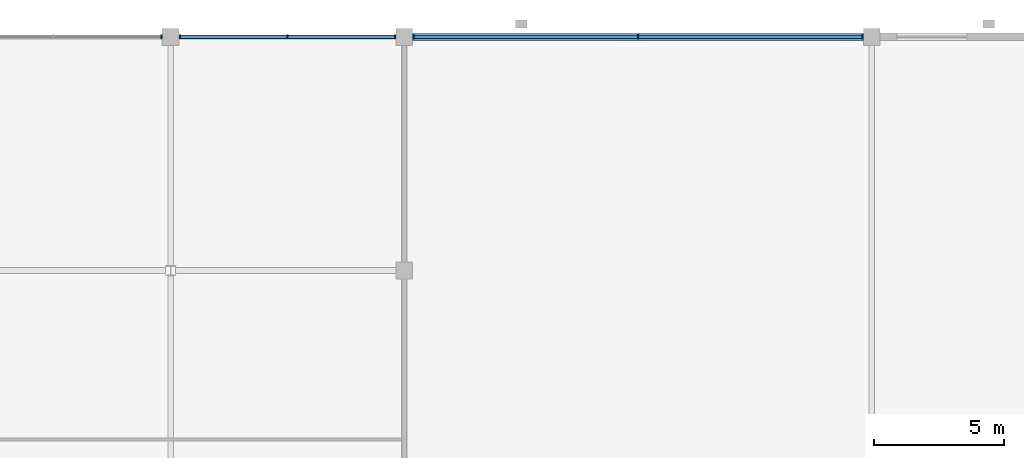
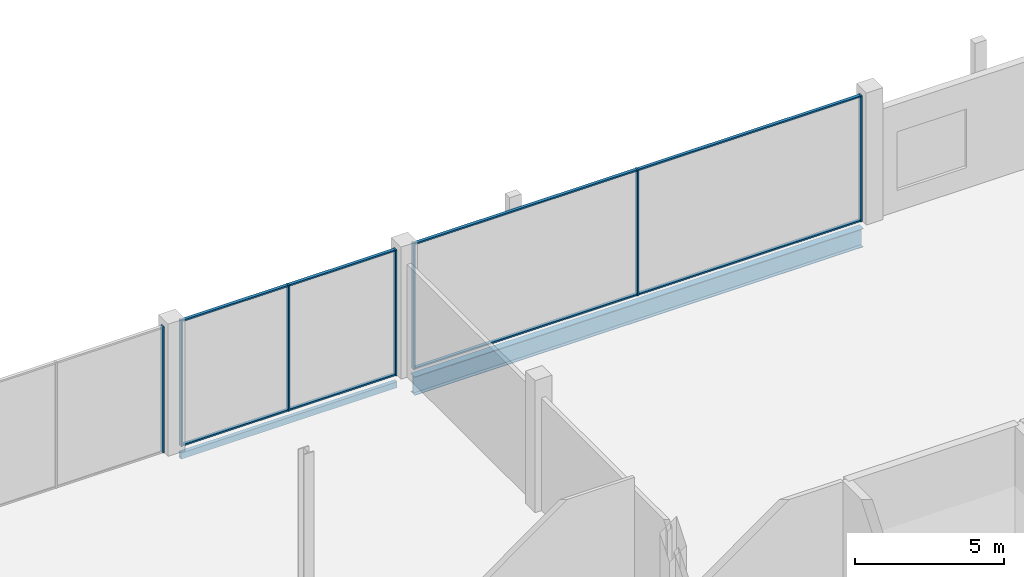
# One storey, part 32 of 111: 15 members, 2 beams, 3 elements without a shape of their own.
"""IFC4 building model written with IfcOpenShell, lengths in metres."""

from ifc_helpers import new_model, si_unit, direction, frame, origin, origin_2d, place, context, subcontext, project, spatial, rectangle, hollow_rectangle, i_section, extrude, material, layer, layer_set, material_profile, profile_set, type_object, element, aggregate, save


model = new_model("IFC4")

# Units and contexts
model_context = context("Model", 3, precision=1e-05, world=origin(), true_north=direction((0.0, 1.0)))
body_context = subcontext(model_context, "Body", "Model", "MODEL_VIEW")
ifc_project = project(units=[si_unit("LENGTHUNIT", "METRE"), si_unit("AREAUNIT", "SQUARE_METRE"), si_unit("VOLUMEUNIT", "CUBIC_METRE"), si_unit("PLANEANGLEUNIT", "RADIAN"), si_unit("MASSUNIT", "GRAM", prefix="KILO")], contexts=[model_context])

# Site, building, storey
site_placement = place(None, origin())
site = spatial("IfcSite", under=ifc_project, at=site_placement, CompositionType="ELEMENT")
building_placement = place(site_placement, origin())
building = spatial("IfcBuilding", under=site, at=building_placement, Name="Kisiwana Market Hall", CompositionType="ELEMENT")
storey_placement = place(building_placement, frame((0.0, 0.0, 11.39990234375)))
storey = spatial("IfcBuildingStorey", under=building, at=storey_placement, Name="L02", CompositionType="ELEMENT", Elevation=11.39990234375)

# Beams
ifc_material_1 = material(Name="Steel S355", Category="steel")
ifc_material_profile_1 = material_profile(ifc_material_1, i_section(OverallWidth=0.2666015625, OverallDepth=0.76220703125, WebThickness=0.014404296875, FlangeThickness=0.021484375, at=origin_2d()), Name="UB 762x267x173")
ifc_profile_set_1 = profile_set([ifc_material_profile_1], Name="Steel S355")
beam_type_1 = type_object("IfcBeamType", Name="BM-GIRD-UB762", PredefinedType="BEAM", material=ifc_profile_set_1)
beam_1_placement = place(storey_placement, frame((45.321044921875, 120.0, -0.631103515625), z_axis=(1.0, 0.0, 0.0), x_axis=(0.0, 1.0, 0.0)))
element("IfcBeam", 1, at=beam_1_placement, inside=storey, type_object=beam_type_1, Name="Floor beam B-0815", PredefinedType="BEAM", context=body_context, shape_type="SweptSolid", body=[
    extrude(i_section(OverallWidth=0.2666015625, OverallDepth=0.76220703125, WebThickness=0.014404296875, FlangeThickness=0.021484375, at=origin_2d()), origin(), (0.0, 0.0, 1.0), 17.35791015625),
])
ifc_material_2 = material(Name="Steel S355", Category="steel")
ifc_material_profile_2 = material_profile(ifc_material_2, hollow_rectangle(XDim=0.14990234375, YDim=0.25, WallThickness=0.010009765625, at=origin_2d()), Name="RHS 250x150x10.0")
ifc_profile_set_2 = profile_set([ifc_material_profile_2], Name="Steel S355")
beam_type_2 = type_object("IfcBeamType", Name="BM-SPAN-RHS250", PredefinedType="SPANDREL", material=ifc_profile_set_2)
beam_2_placement = place(storey_placement, frame((36.321044921875, 120.0, -0.375), z_axis=(1.0, 0.0, 0.0), x_axis=(0.0, 1.0, 0.0)))
element("IfcBeam", 2, at=beam_2_placement, inside=storey, type_object=beam_type_2, Name="Floor beam B-0814", PredefinedType="SPANDREL", context=body_context, shape_type="SweptSolid", body=[
    extrude(hollow_rectangle(XDim=0.14990234375, YDim=0.25, WallThickness=0.010009765625, at=origin_2d()), origin(), (0.0, 0.0, 1.0), 8.35791015625),
])

# Curtain wall, member
ifc_material_3 = material(Name="Double-glazed solar-control low-E IGU", Category="glass")
ifc_layer = layer(ifc_material_3, 0.159912109375)
ifc_layer_set = layer_set([ifc_layer], Name="CW-GLD-E-7200")
curtain_wall_type = type_object("IfcCurtainWallType", Name="CW-GLD-E-7200", PredefinedType="USERDEFINED", material=ifc_layer_set)
curtain_wall_1_placement = place(storey_placement, origin())
curtain_wall_1 = element("IfcCurtainWall", 3, at=curtain_wall_1_placement, inside=storey, type_object=curtain_wall_type, Name="Unitised curtain wall CW-080 (L02)", ObjectType="UNITISED CURTAIN WALL", PredefinedType="USERDEFINED")
ifc_material_4 = material(Name="Aluminium alloy 6063-T6", Category="aluminium")
ifc_material_profile_3 = material_profile(ifc_material_4, rectangle(XDim=0.06005859375, YDim=0.159912109375, at=origin_2d()), Name="ALU MULLION 60x160")
ifc_profile_set_3 = profile_set([ifc_material_profile_3], Name="Aluminium alloy 6063-T6")
member_type_1 = type_object("IfcMemberType", Name="CW-MULL-60x160", PredefinedType="MULLION", material=ifc_profile_set_3)
member_1_placement = place(storey_placement, frame((35.64501953125, 120.0, 0.0), z_axis=(0.0, 0.0, 1.0), x_axis=(1.0, 0.0, 0.0)))
member_1 = element("IfcMember", 4, at=member_1_placement, type_object=member_type_1, Name="CW-080 mullion 3", PredefinedType="MULLION", context=body_context, shape_type="SweptSolid", body=[
    extrude(rectangle(XDim=0.06005859375, YDim=0.159912109375, at=origin_2d()), origin(), (0.0, 0.0, 1.0), 5.150146484375),
])
aggregate(curtain_wall_1, [member_1])

# Curtain wall, members
curtain_wall_2_placement = place(storey_placement, origin())
curtain_wall_2 = element("IfcCurtainWall", 5, at=curtain_wall_2_placement, inside=storey, type_object=curtain_wall_type, Name="Unitised curtain wall CW-081 (L02)", ObjectType="UNITISED CURTAIN WALL", PredefinedType="USERDEFINED")
member_2_placement = place(storey_placement, frame((36.35498046875, 120.0, 0.0), z_axis=(0.0, 0.0, 1.0), x_axis=(1.0, 0.0, 0.0)))
member_2 = element("IfcMember", 6, at=member_2_placement, type_object=member_type_1, Name="CW-081 mullion 1", PredefinedType="MULLION", context=body_context, shape_type="SweptSolid", body=[
    extrude(rectangle(XDim=0.06005859375, YDim=0.159912109375, at=origin_2d()), origin(), (0.0, 0.0, 1.0), 5.150146484375),
])
member_3_placement = place(storey_placement, frame((40.5, 120.0, 0.0), z_axis=(0.0, 0.0, 1.0), x_axis=(1.0, 0.0, 0.0)))
member_3 = element("IfcMember", 7, at=member_3_placement, type_object=member_type_1, Name="CW-081 mullion 2", PredefinedType="MULLION", context=body_context, shape_type="SweptSolid", body=[
    extrude(rectangle(XDim=0.06005859375, YDim=0.159912109375, at=origin_2d()), origin(), (0.0, 0.0, 1.0), 5.150146484375),
])
member_4_placement = place(storey_placement, frame((44.64501953125, 120.0, 0.0), z_axis=(0.0, 0.0, 1.0), x_axis=(1.0, 0.0, 0.0)))
member_4 = element("IfcMember", 8, at=member_4_placement, type_object=member_type_1, Name="CW-081 mullion 3", PredefinedType="MULLION", context=body_context, shape_type="SweptSolid", body=[
    extrude(rectangle(XDim=0.06005859375, YDim=0.159912109375, at=origin_2d()), origin(), (0.0, 0.0, 1.0), 5.150146484375),
])

curtain_wall_3_placement = place(storey_placement, origin())
curtain_wall_3 = element("IfcCurtainWall", 9, at=curtain_wall_3_placement, inside=storey, type_object=curtain_wall_type, Name="Unitised curtain wall CW-082 (L02)", ObjectType="UNITISED CURTAIN WALL", PredefinedType="USERDEFINED")
member_5_placement = place(storey_placement, frame((45.35498046875, 120.0, 0.0), z_axis=(0.0, 0.0, 1.0), x_axis=(1.0, 0.0, 0.0)))
member_5 = element("IfcMember", 10, at=member_5_placement, type_object=member_type_1, Name="CW-082 mullion 1", PredefinedType="MULLION", context=body_context, shape_type="SweptSolid", body=[
    extrude(rectangle(XDim=0.06005859375, YDim=0.159912109375, at=origin_2d()), origin(), (0.0, 0.0, 1.0), 5.150146484375),
])
member_6_placement = place(storey_placement, frame((54.0, 120.0, 0.0), z_axis=(0.0, 0.0, 1.0), x_axis=(1.0, 0.0, 0.0)))
member_6 = element("IfcMember", 11, at=member_6_placement, type_object=member_type_1, Name="CW-082 mullion 2", PredefinedType="MULLION", context=body_context, shape_type="SweptSolid", body=[
    extrude(rectangle(XDim=0.06005859375, YDim=0.159912109375, at=origin_2d()), origin(), (0.0, 0.0, 1.0), 5.150146484375),
])
member_7_placement = place(storey_placement, frame((62.64501953125, 120.0, 0.0), z_axis=(0.0, 0.0, 1.0), x_axis=(1.0, 0.0, 0.0)))
member_7 = element("IfcMember", 12, at=member_7_placement, type_object=member_type_1, Name="CW-082 mullion 3", PredefinedType="MULLION", context=body_context, shape_type="SweptSolid", body=[
    extrude(rectangle(XDim=0.06005859375, YDim=0.159912109375, at=origin_2d()), origin(), (0.0, 0.0, 1.0), 5.150146484375),
])

# Member
ifc_material_5 = material(Name="Aluminium alloy 6063-T6", Category="aluminium")
ifc_material_profile_4 = material_profile(ifc_material_5, rectangle(XDim=0.1201171875, YDim=0.06005859375, at=origin_2d()), Name="ALU TRANSOM 60x120")
ifc_profile_set_4 = profile_set([ifc_material_profile_4], Name="Aluminium alloy 6063-T6")
member_type_2 = type_object("IfcMemberType", Name="CW-TRAN-60x120", PredefinedType="USERDEFINED", material=ifc_profile_set_4)
member_8_placement = place(storey_placement, frame((36.385009765625, 120.0, 0.030029296875), z_axis=(1.0, 0.0, 0.0), x_axis=(0.0, 1.0, 0.0)))
member_8 = element("IfcMember", 13, at=member_8_placement, type_object=member_type_2, Name="CW-081 transom 1.1", ObjectType="TRANSOM", PredefinedType="USERDEFINED", context=body_context, shape_type="SweptSolid", body=[
    extrude(rectangle(XDim=0.1201171875, YDim=0.06005859375, at=origin_2d()), origin(), (0.0, 0.0, 1.0), 4.0849609375),
])

member_9_placement = place(storey_placement, frame((36.385009765625, 120.0, 5.1201171875), z_axis=(1.0, 0.0, 0.0), x_axis=(0.0, 1.0, 0.0)))
member_9 = element("IfcMember", 14, at=member_9_placement, type_object=member_type_2, Name="CW-081 transom 1.2", ObjectType="TRANSOM", PredefinedType="USERDEFINED", context=body_context, shape_type="SweptSolid", body=[
    extrude(rectangle(XDim=0.1201171875, YDim=0.06005859375, at=origin_2d()), origin(), (0.0, 0.0, 1.0), 4.0849609375),
])

member_10_placement = place(storey_placement, frame((40.530029296875, 120.0, 0.030029296875), z_axis=(1.0, 0.0, 0.0), x_axis=(0.0, 1.0, 0.0)))
member_10 = element("IfcMember", 15, at=member_10_placement, type_object=member_type_2, Name="CW-081 transom 2.1", ObjectType="TRANSOM", PredefinedType="USERDEFINED", context=body_context, shape_type="SweptSolid", body=[
    extrude(rectangle(XDim=0.1201171875, YDim=0.06005859375, at=origin_2d()), origin(), (0.0, 0.0, 1.0), 4.0849609375),
])

member_11_placement = place(storey_placement, frame((40.530029296875, 120.0, 5.1201171875), z_axis=(1.0, 0.0, 0.0), x_axis=(0.0, 1.0, 0.0)))
member_11 = element("IfcMember", 16, at=member_11_placement, type_object=member_type_2, Name="CW-081 transom 2.2", ObjectType="TRANSOM", PredefinedType="USERDEFINED", context=body_context, shape_type="SweptSolid", body=[
    extrude(rectangle(XDim=0.1201171875, YDim=0.06005859375, at=origin_2d()), origin(), (0.0, 0.0, 1.0), 4.0849609375),
])

aggregate(curtain_wall_2, [member_2, member_3, member_4, member_8, member_9, member_10, member_11])

member_12_placement = place(storey_placement, frame((45.385009765625, 120.0, 0.030029296875), z_axis=(1.0, 0.0, 0.0), x_axis=(0.0, 1.0, 0.0)))
member_12 = element("IfcMember", 17, at=member_12_placement, type_object=member_type_2, Name="CW-082 transom 1.1", ObjectType="TRANSOM", PredefinedType="USERDEFINED", context=body_context, shape_type="SweptSolid", body=[
    extrude(rectangle(XDim=0.1201171875, YDim=0.06005859375, at=origin_2d()), origin(), (0.0, 0.0, 1.0), 8.5849609375),
])

member_13_placement = place(storey_placement, frame((45.385009765625, 120.0, 5.1201171875), z_axis=(1.0, 0.0, 0.0), x_axis=(0.0, 1.0, 0.0)))
member_13 = element("IfcMember", 18, at=member_13_placement, type_object=member_type_2, Name="CW-082 transom 1.2", ObjectType="TRANSOM", PredefinedType="USERDEFINED", context=body_context, shape_type="SweptSolid", body=[
    extrude(rectangle(XDim=0.1201171875, YDim=0.06005859375, at=origin_2d()), origin(), (0.0, 0.0, 1.0), 8.5849609375),
])

member_14_placement = place(storey_placement, frame((54.030029296875, 120.0, 0.030029296875), z_axis=(1.0, 0.0, 0.0), x_axis=(0.0, 1.0, 0.0)))
member_14 = element("IfcMember", 19, at=member_14_placement, type_object=member_type_2, Name="CW-082 transom 2.1", ObjectType="TRANSOM", PredefinedType="USERDEFINED", context=body_context, shape_type="SweptSolid", body=[
    extrude(rectangle(XDim=0.1201171875, YDim=0.06005859375, at=origin_2d()), origin(), (0.0, 0.0, 1.0), 8.5849609375),
])

member_15_placement = place(storey_placement, frame((54.030029296875, 120.0, 5.1201171875), z_axis=(1.0, 0.0, 0.0), x_axis=(0.0, 1.0, 0.0)))
member_15 = element("IfcMember", 20, at=member_15_placement, type_object=member_type_2, Name="CW-082 transom 2.2", ObjectType="TRANSOM", PredefinedType="USERDEFINED", context=body_context, shape_type="SweptSolid", body=[
    extrude(rectangle(XDim=0.1201171875, YDim=0.06005859375, at=origin_2d()), origin(), (0.0, 0.0, 1.0), 8.5849609375),
])

aggregate(curtain_wall_3, [member_5, member_6, member_7, member_12, member_13, member_14, member_15])

save(model, "model.ifc")
